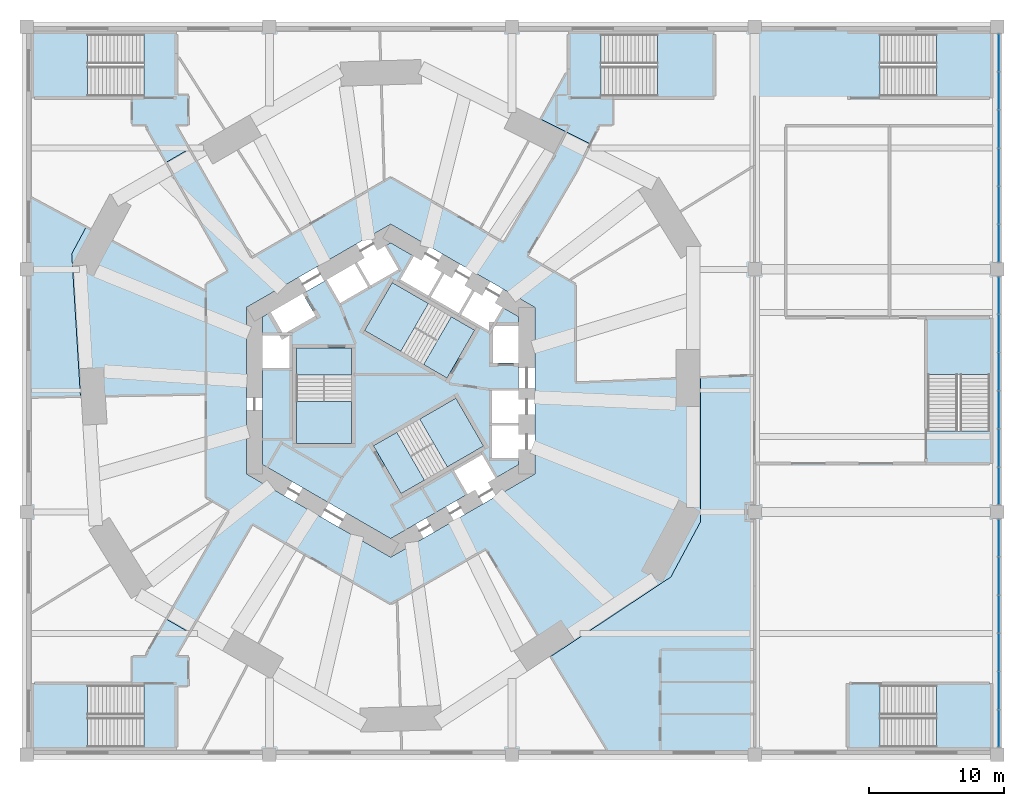
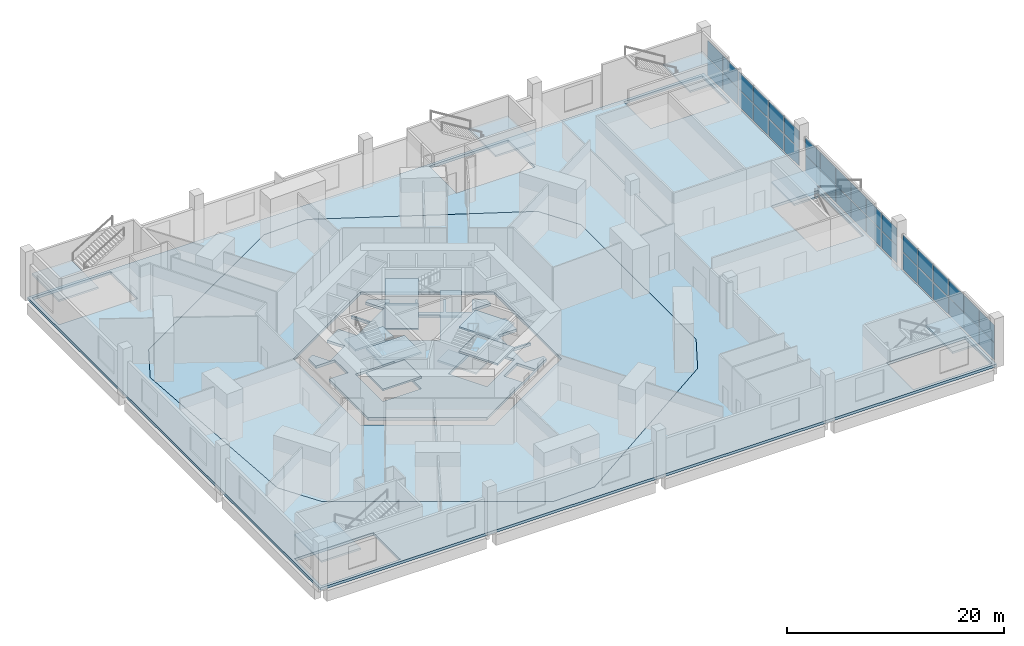
# One storey, part 4 of 16: 36 plates, 18 slabs, 12 elements without a shape of their own.
"""IFC4 building model written with IfcOpenShell, lengths in metres."""

from ifc_helpers import new_model, si_unit, direction, frame, origin, origin_2d, place, context, subcontext, project, spatial, polyline, rectangle, outline, extrude, material, layer, layer_set, type_object, element, aggregate, save


model = new_model("IFC4")

# Units and contexts
model_context = context("Model", 3, precision=1e-05, world=origin(), true_north=direction((0.0, 1.0)))
body_context = subcontext(model_context, "Body", "Model", "MODEL_VIEW")
ifc_project = project(units=[si_unit("LENGTHUNIT", "METRE"), si_unit("AREAUNIT", "SQUARE_METRE"), si_unit("VOLUMEUNIT", "CUBIC_METRE"), si_unit("PLANEANGLEUNIT", "RADIAN"), si_unit("MASSUNIT", "GRAM", prefix="KILO")], contexts=[model_context])

# Site, building, storey
site_placement = place(None, origin())
site = spatial("IfcSite", under=ifc_project, at=site_placement, CompositionType="ELEMENT")
building_placement = place(site_placement, origin())
building = spatial("IfcBuilding", under=site, at=building_placement, Name="Vanh Sen Convention Tower", CompositionType="ELEMENT")
storey_placement = place(building_placement, frame((0.0, 0.0, 29.0)))
storey = spatial("IfcBuildingStorey", under=building, at=storey_placement, Name="L04", CompositionType="ELEMENT", Elevation=29.0)

# Slabs
ifc_material_1 = material(Name="Concrete C40/50", Category="concrete")
ifc_layer_1 = layer(ifc_material_1, 0.300048828125)
ifc_layer_set_1 = layer_set([ifc_layer_1], Name="Concrete C40/50")
slab_type_1 = type_object("IfcSlabType", Name="Core slab 300", PredefinedType="FLOOR", material=ifc_layer_set_1)
slab_1_placement = place(storey_placement, frame((0.0, 0.0, -0.300048828125)))
element("IfcSlab", 1, at=slab_1_placement, inside=storey, type_object=slab_type_1, Name="Core slab L04", PredefinedType="FLOOR", context=body_context, shape_type="SweptSolid", body=[
    extrude(outline(polyline([(9.5, 5.48486328125), (9.5, 4.800048828125), (7.60009765625, 4.800048828125), (7.60009765625, 2.050048828125), (9.5, 2.050048828125), (9.5, 0.0), (7.5, 0.0), (7.5, -2.39990234375), (9.5, -2.39990234375), (9.5, -2.60009765625), (7.5, -2.60009765625), (7.5, -5.0), (9.5, -5.0), (9.5, -5.48486328125), (0.0, -10.9697265625), (-9.5, -5.48486328125), (-9.5, 1.699951171875), (-7.5, 1.699951171875), (-7.5, 4.10009765625), (-9.5, 4.10009765625), (-9.5, 5.48486328125), (-8.906982421875, 5.8271484375), (-7.956787109375, 4.181884765625), (-5.575439453125, 5.556884765625), (-6.525390625, 7.2021484375), (-4.75, 8.227294921875), (-3.75, 6.4951171875), (-1.67138671875, 7.6953125), (-2.67138671875, 9.42724609375), (-2.498291015625, 9.527099609375), (-1.498291015625, 7.795166015625), (0.580078125, 8.9951171875), (-0.419921875, 10.727294921875), (0.0, 10.9697265625), (1.718994140625, 9.977294921875), (0.718994140625, 8.2451171875), (2.79736328125, 7.045166015625), (3.79736328125, 8.777099609375), (3.970703125, 8.67724609375), (2.970703125, 6.9453125), (5.049072265625, 5.7451171875), (6.049072265625, 7.477294921875), (6.22216796875, 7.377197265625), (5.22216796875, 5.645263671875), (7.30078125, 4.4453125), (8.30078125, 6.17724609375), (9.5, 5.48486328125)]), holes=[polyline([(-7.0, 3.14990234375), (-7.0, -3.909912109375), (-2.89990234375, -3.909912109375), (-2.89990234375, 3.14990234375), (-2.89990234375, 1.1494140625), (-7.0, 1.1494140625), (-7.0, 3.14990234375)]), polyline([(4.495361328125, 5.487548828125), (6.22802734375, 4.4873046875), (0.11376953125, 8.01708984375), (-1.936279296875, 4.466552734375), (2.4453125, 1.936767578125), (4.495361328125, 5.487548828125)]), polyline([(7.781005859375, -6.477294921875), (6.781005859375, -4.7451171875), (4.70263671875, -5.9453125), (5.70263671875, -7.67724609375), (7.781005859375, -6.477294921875)]), polyline([(0.45458984375, -3.086181640625), (2.504638671875, -6.63671875), (6.88623046875, -4.107177734375), (4.836181640625, -0.556396484375), (-1.278076171875, -4.08642578125), (0.45458984375, -3.086181640625)])]), origin(), (0.0, 0.0, 1.0), 0.300048828125),
])
ifc_layer_2 = layer(ifc_material_1, 0.300048828125)
ifc_layer_set_2 = layer_set([ifc_layer_2], Name="Concrete C40/50")
slab_type_2 = type_object("IfcSlabType", Name="Floor slab 300 REI 120", PredefinedType="FLOOR", material=ifc_layer_set_2)
slab_2_placement = place(storey_placement, frame((0.0, 0.0, -0.300048828125)))
element("IfcSlab", 2, at=slab_2_placement, inside=storey, type_object=slab_type_2, Name="Floor slab L04 tower", PredefinedType="FLOOR", context=body_context, shape_type="SweptSolid", body=[
    extrude(outline(polyline([(-23.663818359375, 10.14794921875), (-22.364990234375, -11.085205078125), (-19.89990234375, -15.069091796875), (-1.476806640625, -25.705322265625), (3.04345703125, -25.5673828125), (20.78271484375, -13.825927734375), (23.0, -9.69921875), (23.0, 11.57373046875), (20.620361328125, 15.419189453125), (1.58251953125, 24.911376953125), (-3.10009765625, 24.768310546875), (-21.523193359375, 14.131591796875), (-23.663818359375, 10.14794921875)]), holes=[polyline([(0.0, 12.355224609375), (-10.699951171875, 6.177490234375), (-10.699951171875, -6.177490234375), (0.0, -12.355224609375), (10.699951171875, -6.177490234375), (10.699951171875, 6.177490234375), (0.0, 12.355224609375)])]), origin(), (0.0, 0.0, 1.0), 0.300048828125),
])
slab_3_placement = place(storey_placement, frame((0.0, 0.0, -0.300048828125)))
element("IfcSlab", 3, at=slab_3_placement, inside=storey, type_object=slab_type_2, Name="Floor slab L04 wing", PredefinedType="FLOOR", context=body_context, shape_type="SweptSolid", body=[
    extrude(outline(polyline([(45.0, 27.0), (-27.0, 27.0), (-27.0, -27.0), (45.0, -27.0), (45.0, 27.0)]), holes=[polyline([(-22.364990234375, -11.085205078125), (-19.89990234375, -15.069091796875), (-1.476806640625, -25.705322265625), (3.04345703125, -25.5673828125), (20.78271484375, -13.825927734375), (23.0, -9.69921875), (23.0, 11.57373046875), (20.620361328125, 15.419189453125), (1.58251953125, 24.911376953125), (-3.10009765625, 24.768310546875), (-21.523193359375, 14.131591796875), (-23.663818359375, 10.14794921875), (-22.364990234375, -11.085205078125)]), polyline([(44.699951171875, 26.699951171875), (36.30078125, 26.699951171875), (36.30078125, 21.72509765625), (44.699951171875, 21.72509765625), (44.699951171875, 26.699951171875)]), polyline([(36.30078125, -26.699951171875), (44.699951171875, -26.699951171875), (44.699951171875, -21.72509765625), (36.30078125, -21.72509765625), (36.30078125, -26.699951171875)]), polyline([(39.72509765625, -2.999267578125), (44.699951171875, -2.999267578125), (44.699951171875, 5.39990234375), (39.72509765625, 5.39990234375), (39.72509765625, -2.999267578125)]), polyline([(15.6005859375, 26.699951171875), (15.6005859375, 21.72509765625), (24.0, 21.72509765625), (24.0, 26.699951171875), (15.6005859375, 26.699951171875)]), polyline([(-26.699951171875, 26.699951171875), (-26.699951171875, 21.72509765625), (-18.30078125, 21.72509765625), (-18.30078125, 26.699951171875), (-26.699951171875, 26.699951171875)]), polyline([(-26.699951171875, -21.72509765625), (-26.699951171875, -26.699951171875), (-18.30078125, -26.699951171875), (-18.30078125, -21.72509765625), (-26.699951171875, -21.72509765625)])]), origin(), (0.0, 0.0, 1.0), 0.300048828125),
])

# Curtain wall, plates
ifc_material_2 = material(Name="Aluminium structural glazing system", Category="aluminium")
curtain_wall_type = type_object("IfcCurtainWallType", Name="Podium hall structural glazing", PredefinedType="NOTDEFINED", material=ifc_material_2)
curtain_wall_1_placement = place(storey_placement, origin())
curtain_wall_1 = element("IfcCurtainWall", 4, at=curtain_wall_1_placement, inside=storey, type_object=curtain_wall_type, Name="Podium hall glazing 1 L04", PredefinedType="NOTDEFINED")
ifc_material_3 = material(Name="Clear toughened safety glass", Category="glass")
ifc_layer_3 = layer(ifc_material_3, 0.031982421875)
ifc_layer_set_3 = layer_set([ifc_layer_3], Name="Clear toughened safety glass")
plate_type = type_object("IfcPlateType", Name="Hall glazing clear glass panel 32", PredefinedType="CURTAIN_PANEL", material=ifc_layer_set_3)
plate_1_placement = place(storey_placement, frame((45.110107421875, -25.06591796875, 0.070068359375), z_axis=(0.0, 0.0, 1.0), x_axis=(0.0, 1.0, 0.0)))
plate_1 = element("IfcPlate", 5, at=plate_1_placement, type_object=plate_type, Name="CW4 panel 1.1", PredefinedType="CURTAIN_PANEL", context=body_context, shape_type="SweptSolid", body=[
    extrude(rectangle(XDim=2.728271484375, YDim=0.031982421875, at=origin_2d()), origin(), (0.0, 0.0, 1.0), 1.919921875),
])
plate_2_placement = place(storey_placement, frame((45.110107421875, -25.06591796875, 2.06005859375), z_axis=(0.0, 0.0, 1.0), x_axis=(0.0, 1.0, 0.0)))
plate_2 = element("IfcPlate", 6, at=plate_2_placement, type_object=plate_type, Name="CW4 panel 1.2", PredefinedType="CURTAIN_PANEL", context=body_context, shape_type="SweptSolid", body=[
    extrude(rectangle(XDim=2.728271484375, YDim=0.031982421875, at=origin_2d()), origin(), (0.0, 0.0, 1.0), 1.919921875),
])
plate_3_placement = place(storey_placement, frame((45.110107421875, -22.25, 0.070068359375), z_axis=(0.0, 0.0, 1.0), x_axis=(0.0, 1.0, 0.0)))
plate_3 = element("IfcPlate", 7, at=plate_3_placement, type_object=plate_type, Name="CW4 panel 2.1", PredefinedType="CURTAIN_PANEL", context=body_context, shape_type="SweptSolid", body=[
    extrude(rectangle(XDim=2.763427734375, YDim=0.031982421875, at=origin_2d()), origin(), (0.0, 0.0, 1.0), 1.919921875),
])
plate_4_placement = place(storey_placement, frame((45.110107421875, -22.25, 2.06005859375), z_axis=(0.0, 0.0, 1.0), x_axis=(0.0, 1.0, 0.0)))
plate_4 = element("IfcPlate", 8, at=plate_4_placement, type_object=plate_type, Name="CW4 panel 2.2", PredefinedType="CURTAIN_PANEL", context=body_context, shape_type="SweptSolid", body=[
    extrude(rectangle(XDim=2.763427734375, YDim=0.031982421875, at=origin_2d()), origin(), (0.0, 0.0, 1.0), 1.919921875),
])
plate_5_placement = place(storey_placement, frame((45.110107421875, -19.416748046875, 0.070068359375), z_axis=(0.0, 0.0, 1.0), x_axis=(0.0, 1.0, 0.0)))
plate_5 = element("IfcPlate", 9, at=plate_5_placement, type_object=plate_type, Name="CW4 panel 3.1", PredefinedType="CURTAIN_PANEL", context=body_context, shape_type="SweptSolid", body=[
    extrude(rectangle(XDim=2.763427734375, YDim=0.031982421875, at=origin_2d()), origin(), (0.0, 0.0, 1.0), 1.919921875),
])
plate_6_placement = place(storey_placement, frame((45.110107421875, -19.416748046875, 2.06005859375), z_axis=(0.0, 0.0, 1.0), x_axis=(0.0, 1.0, 0.0)))
plate_6 = element("IfcPlate", 10, at=plate_6_placement, type_object=plate_type, Name="CW4 panel 3.2", PredefinedType="CURTAIN_PANEL", context=body_context, shape_type="SweptSolid", body=[
    extrude(rectangle(XDim=2.763427734375, YDim=0.031982421875, at=origin_2d()), origin(), (0.0, 0.0, 1.0), 1.919921875),
])
plate_7_placement = place(storey_placement, frame((45.110107421875, -16.583251953125, 0.070068359375), z_axis=(0.0, 0.0, 1.0), x_axis=(0.0, 1.0, 0.0)))
plate_7 = element("IfcPlate", 11, at=plate_7_placement, type_object=plate_type, Name="CW4 panel 4.1", PredefinedType="CURTAIN_PANEL", context=body_context, shape_type="SweptSolid", body=[
    extrude(rectangle(XDim=2.763427734375, YDim=0.031982421875, at=origin_2d()), origin(), (0.0, 0.0, 1.0), 1.919921875),
])
plate_8_placement = place(storey_placement, frame((45.110107421875, -16.583251953125, 2.06005859375), z_axis=(0.0, 0.0, 1.0), x_axis=(0.0, 1.0, 0.0)))
plate_8 = element("IfcPlate", 12, at=plate_8_placement, type_object=plate_type, Name="CW4 panel 4.2", PredefinedType="CURTAIN_PANEL", context=body_context, shape_type="SweptSolid", body=[
    extrude(rectangle(XDim=2.763427734375, YDim=0.031982421875, at=origin_2d()), origin(), (0.0, 0.0, 1.0), 1.919921875),
])
plate_9_placement = place(storey_placement, frame((45.110107421875, -13.75, 0.070068359375), z_axis=(0.0, 0.0, 1.0), x_axis=(0.0, 1.0, 0.0)))
plate_9 = element("IfcPlate", 13, at=plate_9_placement, type_object=plate_type, Name="CW4 panel 5.1", PredefinedType="CURTAIN_PANEL", context=body_context, shape_type="SweptSolid", body=[
    extrude(rectangle(XDim=2.763427734375, YDim=0.031982421875, at=origin_2d()), origin(), (0.0, 0.0, 1.0), 1.919921875),
])
plate_10_placement = place(storey_placement, frame((45.110107421875, -13.75, 2.06005859375), z_axis=(0.0, 0.0, 1.0), x_axis=(0.0, 1.0, 0.0)))
plate_10 = element("IfcPlate", 14, at=plate_10_placement, type_object=plate_type, Name="CW4 panel 5.2", PredefinedType="CURTAIN_PANEL", context=body_context, shape_type="SweptSolid", body=[
    extrude(rectangle(XDim=2.763427734375, YDim=0.031982421875, at=origin_2d()), origin(), (0.0, 0.0, 1.0), 1.919921875),
])
plate_11_placement = place(storey_placement, frame((45.110107421875, -10.93408203125, 0.070068359375), z_axis=(0.0, 0.0, 1.0), x_axis=(0.0, 1.0, 0.0)))
plate_11 = element("IfcPlate", 15, at=plate_11_placement, type_object=plate_type, Name="CW4 panel 6.1", PredefinedType="CURTAIN_PANEL", context=body_context, shape_type="SweptSolid", body=[
    extrude(rectangle(XDim=2.728271484375, YDim=0.031982421875, at=origin_2d()), origin(), (0.0, 0.0, 1.0), 1.919921875),
])
plate_12_placement = place(storey_placement, frame((45.110107421875, -10.93408203125, 2.06005859375), z_axis=(0.0, 0.0, 1.0), x_axis=(0.0, 1.0, 0.0)))
plate_12 = element("IfcPlate", 16, at=plate_12_placement, type_object=plate_type, Name="CW4 panel 6.2", PredefinedType="CURTAIN_PANEL", context=body_context, shape_type="SweptSolid", body=[
    extrude(rectangle(XDim=2.728271484375, YDim=0.031982421875, at=origin_2d()), origin(), (0.0, 0.0, 1.0), 1.919921875),
])
aggregate(curtain_wall_1, [plate_1, plate_2, plate_3, plate_4, plate_5, plate_6, plate_7, plate_8, plate_9, plate_10, plate_11, plate_12])

curtain_wall_2_placement = place(storey_placement, origin())
curtain_wall_2 = element("IfcCurtainWall", 17, at=curtain_wall_2_placement, inside=storey, type_object=curtain_wall_type, Name="Podium hall glazing 2 L04", PredefinedType="NOTDEFINED")
plate_13_placement = place(storey_placement, frame((45.110107421875, -7.06591796875, 0.070068359375), z_axis=(0.0, 0.0, 1.0), x_axis=(0.0, 1.0, 0.0)))
plate_13 = element("IfcPlate", 18, at=plate_13_placement, type_object=plate_type, Name="CW4 panel 1.1", PredefinedType="CURTAIN_PANEL", context=body_context, shape_type="SweptSolid", body=[
    extrude(rectangle(XDim=2.728271484375, YDim=0.031982421875, at=origin_2d()), origin(), (0.0, 0.0, 1.0), 1.919921875),
])
plate_14_placement = place(storey_placement, frame((45.110107421875, -7.06591796875, 2.06005859375), z_axis=(0.0, 0.0, 1.0), x_axis=(0.0, 1.0, 0.0)))
plate_14 = element("IfcPlate", 19, at=plate_14_placement, type_object=plate_type, Name="CW4 panel 1.2", PredefinedType="CURTAIN_PANEL", context=body_context, shape_type="SweptSolid", body=[
    extrude(rectangle(XDim=2.728271484375, YDim=0.031982421875, at=origin_2d()), origin(), (0.0, 0.0, 1.0), 1.919921875),
])
plate_15_placement = place(storey_placement, frame((45.110107421875, -4.25, 0.070068359375), z_axis=(0.0, 0.0, 1.0), x_axis=(0.0, 1.0, 0.0)))
plate_15 = element("IfcPlate", 20, at=plate_15_placement, type_object=plate_type, Name="CW4 panel 2.1", PredefinedType="CURTAIN_PANEL", context=body_context, shape_type="SweptSolid", body=[
    extrude(rectangle(XDim=2.763427734375, YDim=0.031982421875, at=origin_2d()), origin(), (0.0, 0.0, 1.0), 1.919921875),
])
plate_16_placement = place(storey_placement, frame((45.110107421875, -4.25, 2.06005859375), z_axis=(0.0, 0.0, 1.0), x_axis=(0.0, 1.0, 0.0)))
plate_16 = element("IfcPlate", 21, at=plate_16_placement, type_object=plate_type, Name="CW4 panel 2.2", PredefinedType="CURTAIN_PANEL", context=body_context, shape_type="SweptSolid", body=[
    extrude(rectangle(XDim=2.763427734375, YDim=0.031982421875, at=origin_2d()), origin(), (0.0, 0.0, 1.0), 1.919921875),
])
plate_17_placement = place(storey_placement, frame((45.110107421875, -1.416748046875, 0.070068359375), z_axis=(0.0, 0.0, 1.0), x_axis=(0.0, 1.0, 0.0)))
plate_17 = element("IfcPlate", 22, at=plate_17_placement, type_object=plate_type, Name="CW4 panel 3.1", PredefinedType="CURTAIN_PANEL", context=body_context, shape_type="SweptSolid", body=[
    extrude(rectangle(XDim=2.763427734375, YDim=0.031982421875, at=origin_2d()), origin(), (0.0, 0.0, 1.0), 1.919921875),
])
plate_18_placement = place(storey_placement, frame((45.110107421875, -1.416748046875, 2.06005859375), z_axis=(0.0, 0.0, 1.0), x_axis=(0.0, 1.0, 0.0)))
plate_18 = element("IfcPlate", 23, at=plate_18_placement, type_object=plate_type, Name="CW4 panel 3.2", PredefinedType="CURTAIN_PANEL", context=body_context, shape_type="SweptSolid", body=[
    extrude(rectangle(XDim=2.763427734375, YDim=0.031982421875, at=origin_2d()), origin(), (0.0, 0.0, 1.0), 1.919921875),
])
plate_19_placement = place(storey_placement, frame((45.110107421875, 1.416748046875, 0.070068359375), z_axis=(0.0, 0.0, 1.0), x_axis=(0.0, 1.0, 0.0)))
plate_19 = element("IfcPlate", 24, at=plate_19_placement, type_object=plate_type, Name="CW4 panel 4.1", PredefinedType="CURTAIN_PANEL", context=body_context, shape_type="SweptSolid", body=[
    extrude(rectangle(XDim=2.763427734375, YDim=0.031982421875, at=origin_2d()), origin(), (0.0, 0.0, 1.0), 1.919921875),
])
plate_20_placement = place(storey_placement, frame((45.110107421875, 1.416748046875, 2.06005859375), z_axis=(0.0, 0.0, 1.0), x_axis=(0.0, 1.0, 0.0)))
plate_20 = element("IfcPlate", 25, at=plate_20_placement, type_object=plate_type, Name="CW4 panel 4.2", PredefinedType="CURTAIN_PANEL", context=body_context, shape_type="SweptSolid", body=[
    extrude(rectangle(XDim=2.763427734375, YDim=0.031982421875, at=origin_2d()), origin(), (0.0, 0.0, 1.0), 1.919921875),
])
plate_21_placement = place(storey_placement, frame((45.110107421875, 4.25, 0.070068359375), z_axis=(0.0, 0.0, 1.0), x_axis=(0.0, 1.0, 0.0)))
plate_21 = element("IfcPlate", 26, at=plate_21_placement, type_object=plate_type, Name="CW4 panel 5.1", PredefinedType="CURTAIN_PANEL", context=body_context, shape_type="SweptSolid", body=[
    extrude(rectangle(XDim=2.763427734375, YDim=0.031982421875, at=origin_2d()), origin(), (0.0, 0.0, 1.0), 1.919921875),
])
plate_22_placement = place(storey_placement, frame((45.110107421875, 4.25, 2.06005859375), z_axis=(0.0, 0.0, 1.0), x_axis=(0.0, 1.0, 0.0)))
plate_22 = element("IfcPlate", 27, at=plate_22_placement, type_object=plate_type, Name="CW4 panel 5.2", PredefinedType="CURTAIN_PANEL", context=body_context, shape_type="SweptSolid", body=[
    extrude(rectangle(XDim=2.763427734375, YDim=0.031982421875, at=origin_2d()), origin(), (0.0, 0.0, 1.0), 1.919921875),
])
plate_23_placement = place(storey_placement, frame((45.110107421875, 7.06591796875, 0.070068359375), z_axis=(0.0, 0.0, 1.0), x_axis=(0.0, 1.0, 0.0)))
plate_23 = element("IfcPlate", 28, at=plate_23_placement, type_object=plate_type, Name="CW4 panel 6.1", PredefinedType="CURTAIN_PANEL", context=body_context, shape_type="SweptSolid", body=[
    extrude(rectangle(XDim=2.728271484375, YDim=0.031982421875, at=origin_2d()), origin(), (0.0, 0.0, 1.0), 1.919921875),
])
plate_24_placement = place(storey_placement, frame((45.110107421875, 7.06591796875, 2.06005859375), z_axis=(0.0, 0.0, 1.0), x_axis=(0.0, 1.0, 0.0)))
plate_24 = element("IfcPlate", 29, at=plate_24_placement, type_object=plate_type, Name="CW4 panel 6.2", PredefinedType="CURTAIN_PANEL", context=body_context, shape_type="SweptSolid", body=[
    extrude(rectangle(XDim=2.728271484375, YDim=0.031982421875, at=origin_2d()), origin(), (0.0, 0.0, 1.0), 1.919921875),
])
aggregate(curtain_wall_2, [plate_13, plate_14, plate_15, plate_16, plate_17, plate_18, plate_19, plate_20, plate_21, plate_22, plate_23, plate_24])

curtain_wall_3_placement = place(storey_placement, origin())
curtain_wall_3 = element("IfcCurtainWall", 30, at=curtain_wall_3_placement, inside=storey, type_object=curtain_wall_type, Name="Podium hall glazing 3 L04", PredefinedType="NOTDEFINED")
plate_25_placement = place(storey_placement, frame((45.110107421875, 10.93408203125, 0.070068359375), z_axis=(0.0, 0.0, 1.0), x_axis=(0.0, 1.0, 0.0)))
plate_25 = element("IfcPlate", 31, at=plate_25_placement, type_object=plate_type, Name="CW4 panel 1.1", PredefinedType="CURTAIN_PANEL", context=body_context, shape_type="SweptSolid", body=[
    extrude(rectangle(XDim=2.728271484375, YDim=0.031982421875, at=origin_2d()), origin(), (0.0, 0.0, 1.0), 1.919921875),
])
plate_26_placement = place(storey_placement, frame((45.110107421875, 10.93408203125, 2.06005859375), z_axis=(0.0, 0.0, 1.0), x_axis=(0.0, 1.0, 0.0)))
plate_26 = element("IfcPlate", 32, at=plate_26_placement, type_object=plate_type, Name="CW4 panel 1.2", PredefinedType="CURTAIN_PANEL", context=body_context, shape_type="SweptSolid", body=[
    extrude(rectangle(XDim=2.728271484375, YDim=0.031982421875, at=origin_2d()), origin(), (0.0, 0.0, 1.0), 1.919921875),
])
plate_27_placement = place(storey_placement, frame((45.110107421875, 13.75, 0.070068359375), z_axis=(0.0, 0.0, 1.0), x_axis=(0.0, 1.0, 0.0)))
plate_27 = element("IfcPlate", 33, at=plate_27_placement, type_object=plate_type, Name="CW4 panel 2.1", PredefinedType="CURTAIN_PANEL", context=body_context, shape_type="SweptSolid", body=[
    extrude(rectangle(XDim=2.763427734375, YDim=0.031982421875, at=origin_2d()), origin(), (0.0, 0.0, 1.0), 1.919921875),
])
plate_28_placement = place(storey_placement, frame((45.110107421875, 13.75, 2.06005859375), z_axis=(0.0, 0.0, 1.0), x_axis=(0.0, 1.0, 0.0)))
plate_28 = element("IfcPlate", 34, at=plate_28_placement, type_object=plate_type, Name="CW4 panel 2.2", PredefinedType="CURTAIN_PANEL", context=body_context, shape_type="SweptSolid", body=[
    extrude(rectangle(XDim=2.763427734375, YDim=0.031982421875, at=origin_2d()), origin(), (0.0, 0.0, 1.0), 1.919921875),
])
plate_29_placement = place(storey_placement, frame((45.110107421875, 16.583251953125, 0.070068359375), z_axis=(0.0, 0.0, 1.0), x_axis=(0.0, 1.0, 0.0)))
plate_29 = element("IfcPlate", 35, at=plate_29_placement, type_object=plate_type, Name="CW4 panel 3.1", PredefinedType="CURTAIN_PANEL", context=body_context, shape_type="SweptSolid", body=[
    extrude(rectangle(XDim=2.763427734375, YDim=0.031982421875, at=origin_2d()), origin(), (0.0, 0.0, 1.0), 1.919921875),
])
plate_30_placement = place(storey_placement, frame((45.110107421875, 16.583251953125, 2.06005859375), z_axis=(0.0, 0.0, 1.0), x_axis=(0.0, 1.0, 0.0)))
plate_30 = element("IfcPlate", 36, at=plate_30_placement, type_object=plate_type, Name="CW4 panel 3.2", PredefinedType="CURTAIN_PANEL", context=body_context, shape_type="SweptSolid", body=[
    extrude(rectangle(XDim=2.763427734375, YDim=0.031982421875, at=origin_2d()), origin(), (0.0, 0.0, 1.0), 1.919921875),
])
plate_31_placement = place(storey_placement, frame((45.110107421875, 19.416748046875, 0.070068359375), z_axis=(0.0, 0.0, 1.0), x_axis=(0.0, 1.0, 0.0)))
plate_31 = element("IfcPlate", 37, at=plate_31_placement, type_object=plate_type, Name="CW4 panel 4.1", PredefinedType="CURTAIN_PANEL", context=body_context, shape_type="SweptSolid", body=[
    extrude(rectangle(XDim=2.763427734375, YDim=0.031982421875, at=origin_2d()), origin(), (0.0, 0.0, 1.0), 1.919921875),
])
plate_32_placement = place(storey_placement, frame((45.110107421875, 19.416748046875, 2.06005859375), z_axis=(0.0, 0.0, 1.0), x_axis=(0.0, 1.0, 0.0)))
plate_32 = element("IfcPlate", 38, at=plate_32_placement, type_object=plate_type, Name="CW4 panel 4.2", PredefinedType="CURTAIN_PANEL", context=body_context, shape_type="SweptSolid", body=[
    extrude(rectangle(XDim=2.763427734375, YDim=0.031982421875, at=origin_2d()), origin(), (0.0, 0.0, 1.0), 1.919921875),
])
plate_33_placement = place(storey_placement, frame((45.110107421875, 22.25, 0.070068359375), z_axis=(0.0, 0.0, 1.0), x_axis=(0.0, 1.0, 0.0)))
plate_33 = element("IfcPlate", 39, at=plate_33_placement, type_object=plate_type, Name="CW4 panel 5.1", PredefinedType="CURTAIN_PANEL", context=body_context, shape_type="SweptSolid", body=[
    extrude(rectangle(XDim=2.763427734375, YDim=0.031982421875, at=origin_2d()), origin(), (0.0, 0.0, 1.0), 1.919921875),
])
plate_34_placement = place(storey_placement, frame((45.110107421875, 22.25, 2.06005859375), z_axis=(0.0, 0.0, 1.0), x_axis=(0.0, 1.0, 0.0)))
plate_34 = element("IfcPlate", 40, at=plate_34_placement, type_object=plate_type, Name="CW4 panel 5.2", PredefinedType="CURTAIN_PANEL", context=body_context, shape_type="SweptSolid", body=[
    extrude(rectangle(XDim=2.763427734375, YDim=0.031982421875, at=origin_2d()), origin(), (0.0, 0.0, 1.0), 1.919921875),
])
plate_35_placement = place(storey_placement, frame((45.110107421875, 25.06591796875, 0.070068359375), z_axis=(0.0, 0.0, 1.0), x_axis=(0.0, 1.0, 0.0)))
plate_35 = element("IfcPlate", 41, at=plate_35_placement, type_object=plate_type, Name="CW4 panel 6.1", PredefinedType="CURTAIN_PANEL", context=body_context, shape_type="SweptSolid", body=[
    extrude(rectangle(XDim=2.728271484375, YDim=0.031982421875, at=origin_2d()), origin(), (0.0, 0.0, 1.0), 1.919921875),
])
plate_36_placement = place(storey_placement, frame((45.110107421875, 25.06591796875, 2.06005859375), z_axis=(0.0, 0.0, 1.0), x_axis=(0.0, 1.0, 0.0)))
plate_36 = element("IfcPlate", 42, at=plate_36_placement, type_object=plate_type, Name="CW4 panel 6.2", PredefinedType="CURTAIN_PANEL", context=body_context, shape_type="SweptSolid", body=[
    extrude(rectangle(XDim=2.728271484375, YDim=0.031982421875, at=origin_2d()), origin(), (0.0, 0.0, 1.0), 1.919921875),
])
aggregate(curtain_wall_3, [plate_25, plate_26, plate_27, plate_28, plate_29, plate_30, plate_31, plate_32, plate_33, plate_34, plate_35, plate_36])

# Stair, slab
stair_type_1 = type_object("IfcStairType", Name="Podium exit stair 2200", PredefinedType="HALF_TURN_STAIR", material=ifc_material_1)
stair_1_placement = place(storey_placement, origin())
stair_1 = element("IfcStair", 43, at=stair_1_placement, inside=storey, type_object=stair_type_1, Name="Exit stair PS1 L04", PredefinedType="HALF_TURN_STAIR")
ifc_layer_4 = layer(ifc_material_1, 0.199951171875)
ifc_layer_set_4 = layer_set([ifc_layer_4], Name="Concrete C40/50")
slab_type_3 = type_object("IfcSlabType", Name="Podium stair landing 200", PredefinedType="LANDING", material=ifc_layer_set_4)
slab_4_placement = place(storey_placement, frame((0.0, 0.0, 2.550048828125)))
slab_4 = element("IfcSlab", 44, at=slab_4_placement, type_object=slab_type_3, Name="PS1 landing 1", PredefinedType="LANDING", context=body_context, shape_type="SweptSolid", body=[
    extrude(outline(polyline([(40.499267578125, 21.72509765625), (44.699951171875, 21.72509765625), (44.699951171875, 26.699951171875), (40.499267578125, 26.699951171875), (40.499267578125, 21.72509765625)])), origin(), (0.0, 0.0, 1.0), 0.199951171875),
])
aggregate(stair_1, [slab_4])

stair_2_placement = place(storey_placement, origin())
stair_2 = element("IfcStair", 45, at=stair_2_placement, inside=storey, type_object=stair_type_1, Name="Exit stair PS2 L04", PredefinedType="HALF_TURN_STAIR")
slab_5_placement = place(storey_placement, frame((0.0, 0.0, 2.550048828125)))
slab_5 = element("IfcSlab", 46, at=slab_5_placement, type_object=slab_type_3, Name="PS2 landing 1", PredefinedType="LANDING", context=body_context, shape_type="SweptSolid", body=[
    extrude(outline(polyline([(40.499267578125, -21.72509765625), (44.699951171875, -21.72509765625), (44.699951171875, -26.699951171875), (40.499267578125, -26.699951171875), (40.499267578125, -21.72509765625)])), origin(), (0.0, 0.0, 1.0), 0.199951171875),
])
aggregate(stair_2, [slab_5])

stair_3_placement = place(storey_placement, origin())
stair_3 = element("IfcStair", 47, at=stair_3_placement, inside=storey, type_object=stair_type_1, Name="Exit stair PS3 L04", PredefinedType="HALF_TURN_STAIR")
slab_6_placement = place(storey_placement, frame((0.0, 0.0, 2.550048828125)))
slab_6 = element("IfcSlab", 48, at=slab_6_placement, type_object=slab_type_3, Name="PS3 landing 1", PredefinedType="LANDING", context=body_context, shape_type="SweptSolid", body=[
    extrude(outline(polyline([(39.72509765625, 1.19921875), (39.72509765625, 5.39990234375), (44.699951171875, 5.39990234375), (44.699951171875, 1.19921875), (39.72509765625, 1.19921875)])), origin(), (0.0, 0.0, 1.0), 0.199951171875),
])
aggregate(stair_3, [slab_6])

stair_4_placement = place(storey_placement, origin())
stair_4 = element("IfcStair", 49, at=stair_4_placement, inside=storey, type_object=stair_type_1, Name="Exit stair PS4 L04", PredefinedType="HALF_TURN_STAIR")
slab_7_placement = place(storey_placement, frame((0.0, 0.0, 2.550048828125)))
slab_7 = element("IfcSlab", 50, at=slab_7_placement, type_object=slab_type_3, Name="PS4 landing 1", PredefinedType="LANDING", context=body_context, shape_type="SweptSolid", body=[
    extrude(outline(polyline([(19.79931640625, 21.72509765625), (24.0, 21.72509765625), (24.0, 26.699951171875), (19.79931640625, 26.699951171875), (19.79931640625, 21.72509765625)])), origin(), (0.0, 0.0, 1.0), 0.199951171875),
])
aggregate(stair_4, [slab_7])

stair_5_placement = place(storey_placement, origin())
stair_5 = element("IfcStair", 51, at=stair_5_placement, inside=storey, type_object=stair_type_1, Name="Exit stair PS5 L04", PredefinedType="HALF_TURN_STAIR")
slab_8_placement = place(storey_placement, frame((0.0, 0.0, 2.550048828125)))
slab_8 = element("IfcSlab", 52, at=slab_8_placement, type_object=slab_type_3, Name="PS5 landing 1", PredefinedType="LANDING", context=body_context, shape_type="SweptSolid", body=[
    extrude(outline(polyline([(-22.499267578125, 21.72509765625), (-26.699951171875, 21.72509765625), (-26.699951171875, 26.699951171875), (-22.499267578125, 26.699951171875), (-22.499267578125, 21.72509765625)])), origin(), (0.0, 0.0, 1.0), 0.199951171875),
])
aggregate(stair_5, [slab_8])

stair_6_placement = place(storey_placement, origin())
stair_6 = element("IfcStair", 53, at=stair_6_placement, inside=storey, type_object=stair_type_1, Name="Exit stair PS6 L04", PredefinedType="HALF_TURN_STAIR")
slab_9_placement = place(storey_placement, frame((0.0, 0.0, 2.550048828125)))
slab_9 = element("IfcSlab", 54, at=slab_9_placement, type_object=slab_type_3, Name="PS6 landing 1", PredefinedType="LANDING", context=body_context, shape_type="SweptSolid", body=[
    extrude(outline(polyline([(-22.499267578125, -21.72509765625), (-26.699951171875, -21.72509765625), (-26.699951171875, -26.699951171875), (-22.499267578125, -26.699951171875), (-22.499267578125, -21.72509765625)])), origin(), (0.0, 0.0, 1.0), 0.199951171875),
])
aggregate(stair_6, [slab_9])

# Stair, slabs
ifc_material_4 = material(Name="Concrete C50/60", Category="concrete")
stair_type_2 = type_object("IfcStairType", Name="Exit stair ST1 32 risers at 171.9", PredefinedType="HALF_TURN_STAIR", material=ifc_material_4)
stair_7_placement = place(storey_placement, origin())
stair_7 = element("IfcStair", 55, at=stair_7_placement, inside=storey, type_object=stair_type_2, Name="Exit stair ST1 L04", PredefinedType="HALF_TURN_STAIR")
ifc_layer_5 = layer(ifc_material_1, 0.199951171875)
ifc_layer_set_5 = layer_set([ifc_layer_5], Name="Concrete C40/50")
slab_type_4 = type_object("IfcSlabType", Name="Stair landing 200", PredefinedType="LANDING", material=ifc_layer_set_5)
slab_10_placement = place(storey_placement, frame((0.0, 0.0, 1.175048828125)))
slab_10 = element("IfcSlab", 56, at=slab_10_placement, type_object=slab_type_4, Name="ST1 landing 1", PredefinedType="LANDING", context=body_context, shape_type="SweptSolid", body=[
    extrude(outline(polyline([(2.79931640625, 6.466796875), (0.11376953125, 8.01708984375), (-1.936279296875, 4.466552734375), (0.749267578125, 2.916015625), (2.79931640625, 6.466796875)])), origin(), (0.0, 0.0, 1.0), 0.199951171875),
])
slab_11_placement = place(storey_placement, frame((0.0, 0.0, 2.550048828125)))
slab_11 = element("IfcSlab", 57, at=slab_11_placement, type_object=slab_type_4, Name="ST1 landing 2", PredefinedType="LANDING", context=body_context, shape_type="SweptSolid", body=[
    extrude(outline(polyline([(6.22802734375, 4.4873046875), (4.495361328125, 5.487548828125), (2.4453125, 1.936767578125), (4.177978515625, 0.9365234375), (6.22802734375, 4.4873046875)])), origin(), (0.0, 0.0, 1.0), 0.199951171875),
])
slab_12_placement = place(storey_placement, frame((0.0, 0.0, 3.925048828125)))
slab_12 = element("IfcSlab", 58, at=slab_12_placement, type_object=slab_type_4, Name="ST1 landing 3", PredefinedType="LANDING", context=body_context, shape_type="SweptSolid", body=[
    extrude(outline(polyline([(2.79931640625, 6.466796875), (0.11376953125, 8.01708984375), (-1.936279296875, 4.466552734375), (0.749267578125, 2.916015625), (2.79931640625, 6.466796875)])), origin(), (0.0, 0.0, 1.0), 0.199951171875),
])
aggregate(stair_7, [slab_10, slab_11, slab_12])

stair_type_3 = type_object("IfcStairType", Name="Exit stair ST2 32 risers at 171.9", PredefinedType="HALF_TURN_STAIR", material=ifc_material_4)
stair_8_placement = place(storey_placement, origin())
stair_8 = element("IfcStair", 59, at=stair_8_placement, inside=storey, type_object=stair_type_3, Name="Exit stair ST2 L04", PredefinedType="HALF_TURN_STAIR")
slab_13_placement = place(storey_placement, frame((0.0, 0.0, 1.175048828125)))
slab_13 = element("IfcSlab", 60, at=slab_13_placement, type_object=slab_type_4, Name="ST2 landing 1", PredefinedType="LANDING", context=body_context, shape_type="SweptSolid", body=[
    extrude(outline(polyline([(-7.0, -0.809326171875), (-7.0, -3.909912109375), (-2.89990234375, -3.909912109375), (-2.89990234375, -0.809326171875), (-7.0, -0.809326171875)])), origin(), (0.0, 0.0, 1.0), 0.199951171875),
])
slab_14_placement = place(storey_placement, frame((0.0, 0.0, 2.550048828125)))
slab_14 = element("IfcSlab", 61, at=slab_14_placement, type_object=slab_type_4, Name="ST2 landing 2", PredefinedType="LANDING", context=body_context, shape_type="SweptSolid", body=[
    extrude(outline(polyline([(-7.0, 3.14990234375), (-7.0, 1.1494140625), (-2.89990234375, 1.1494140625), (-2.89990234375, 3.14990234375), (-7.0, 3.14990234375)])), origin(), (0.0, 0.0, 1.0), 0.199951171875),
])
slab_15_placement = place(storey_placement, frame((0.0, 0.0, 3.925048828125)))
slab_15 = element("IfcSlab", 62, at=slab_15_placement, type_object=slab_type_4, Name="ST2 landing 3", PredefinedType="LANDING", context=body_context, shape_type="SweptSolid", body=[
    extrude(outline(polyline([(-7.0, -0.809326171875), (-7.0, -3.909912109375), (-2.89990234375, -3.909912109375), (-2.89990234375, -0.809326171875), (-7.0, -0.809326171875)])), origin(), (0.0, 0.0, 1.0), 0.199951171875),
])
aggregate(stair_8, [slab_13, slab_14, slab_15])

stair_type_4 = type_object("IfcStairType", Name="Exit stair ST3 32 risers at 171.9", PredefinedType="HALF_TURN_STAIR", material=ifc_material_4)
stair_9_placement = place(storey_placement, origin())
stair_9 = element("IfcStair", 63, at=stair_9_placement, inside=storey, type_object=stair_type_4, Name="Exit stair ST3 L04", PredefinedType="HALF_TURN_STAIR")
slab_16_placement = place(storey_placement, frame((0.0, 0.0, 1.175048828125)))
slab_16 = element("IfcSlab", 64, at=slab_16_placement, type_object=slab_type_4, Name="ST3 landing 1", PredefinedType="LANDING", context=body_context, shape_type="SweptSolid", body=[
    extrude(outline(polyline([(4.20068359375, -5.657470703125), (6.88623046875, -4.107177734375), (4.836181640625, -0.556396484375), (2.15087890625, -2.106689453125), (4.20068359375, -5.657470703125)])), origin(), (0.0, 0.0, 1.0), 0.199951171875),
])
slab_17_placement = place(storey_placement, frame((0.0, 0.0, 2.550048828125)))
slab_17 = element("IfcSlab", 65, at=slab_17_placement, type_object=slab_type_4, Name="ST3 landing 2", PredefinedType="LANDING", context=body_context, shape_type="SweptSolid", body=[
    extrude(outline(polyline([(0.77197265625, -7.63720703125), (2.504638671875, -6.63671875), (0.45458984375, -3.086181640625), (-1.278076171875, -4.08642578125), (0.77197265625, -7.63720703125)])), origin(), (0.0, 0.0, 1.0), 0.199951171875),
])
slab_18_placement = place(storey_placement, frame((0.0, 0.0, 3.925048828125)))
slab_18 = element("IfcSlab", 66, at=slab_18_placement, type_object=slab_type_4, Name="ST3 landing 3", PredefinedType="LANDING", context=body_context, shape_type="SweptSolid", body=[
    extrude(outline(polyline([(4.20068359375, -5.657470703125), (6.88623046875, -4.107177734375), (4.836181640625, -0.556396484375), (2.15087890625, -2.106689453125), (4.20068359375, -5.657470703125)])), origin(), (0.0, 0.0, 1.0), 0.199951171875),
])
aggregate(stair_9, [slab_16, slab_17, slab_18])

save(model, "model.ifc")
